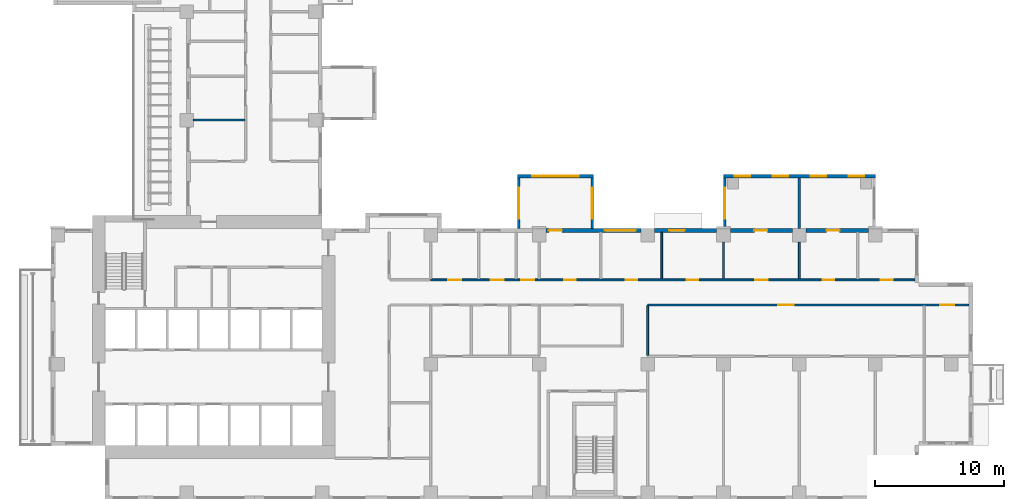
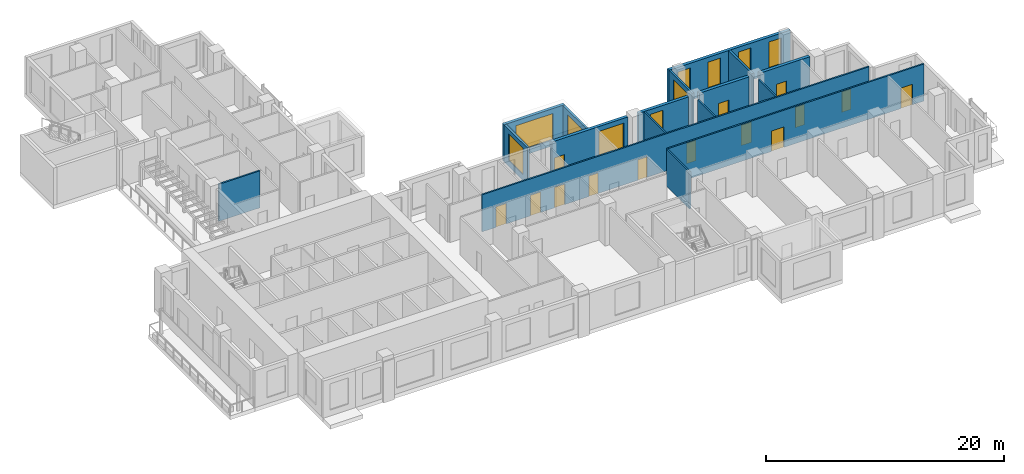
# One storey, part 7 of 16: 17 walls, 14 doors, 10 windows, 24 openings.
"""IFC4 building model written with IfcOpenShell, lengths in metres."""

from ifc_helpers import new_model, si_unit, direction, frame, frame_2d, origin, place, context, subcontext, project, spatial, rectangle, extrude, source, transform, mapped, material, layer, layer_set, type_object, element, fill, save


model = new_model("IFC4")

# Units and contexts
model_context = context("Model", 3, precision=1e-05, world=origin(), true_north=direction((0.0, 1.0)))
body_context = subcontext(model_context, "Body", "Model", "MODEL_VIEW")
ifc_project = project(units=[si_unit("LENGTHUNIT", "METRE"), si_unit("AREAUNIT", "SQUARE_METRE"), si_unit("VOLUMEUNIT", "CUBIC_METRE"), si_unit("PLANEANGLEUNIT", "RADIAN"), si_unit("MASSUNIT", "GRAM", prefix="KILO")], contexts=[model_context])

# Site, building, storey
site_placement = place(None, origin())
site = spatial("IfcSite", under=ifc_project, at=site_placement, CompositionType="ELEMENT")
building_placement = place(site_placement, origin())
building = spatial("IfcBuilding", under=site, at=building_placement, Name="Aurelian Terraces", CompositionType="ELEMENT")
storey_placement = place(building_placement, frame((0.0, 0.0, 124.5)))
storey = spatial("IfcBuildingStorey", under=building, at=storey_placement, Name="L27", CompositionType="ELEMENT", Elevation=124.5)

# Wall, opening, window
ifc_material_1 = material(Name="Concrete fc' 40 MPa", Category="concrete")
ifc_layer_1 = layer(ifc_material_1, 0.2)
ifc_layer_set_1 = layer_set([ifc_layer_1], Name="BOX BEARING WALL 200")
wall_type_1 = type_object("IfcWallType", Name="BOX BEARING WALL 200", PredefinedType="SOLIDWALL", material=ifc_layer_set_1)
shared_shape_1 = source(origin(), body_context, "Body", "SweptSolid", [
    extrude(rectangle(XDim=3.9, YDim=0.2, at=frame_2d((1.95, 0.0))), origin(), (0.0, 0.0, 1.0), 3.79),
])
wall_1_placement = place(storey_placement, frame((52.18, 21.0, 0.0), z_axis=(0.0, 0.0, 1.0), x_axis=(0.0, 1.0, 0.0)))
wall_1 = element("IfcWall", 1, at=wall_1_placement, inside=storey, type_object=wall_type_1, Name="Box return L27 K02.2", PredefinedType="SOLIDWALL", context=body_context, shape_type="MappedRepresentation", body=[
    mapped(shared_shape_1, transform((0.0, 0.0, 0.0), scale=1.0)),
])
shared_shape_2 = source(origin(), body_context, "Body", "SweptSolid", [
    extrude(rectangle(XDim=2.4, YDim=2.7, at=frame_2d((1.2, 1.35))), frame((0.0, 0.11, 0.0), z_axis=(0.0, -1.0, 0.0), x_axis=(1.0, 0.0, 0.0)), (0.0, 0.0, 1.0), 0.22),
])
opening_1_placement = place(wall_1_placement, frame((0.75, 0.0, 0.6)))
opening_1 = element("IfcOpeningElement", 2, at=opening_1_placement, cuts=wall_1, Name="Opening W2427", PredefinedType="OPENING", context=body_context, shape_type="MappedRepresentation", body=[
    mapped(shared_shape_2, transform((0.0, 0.0, 0.0), scale=1.0)),
])
ifc_material_2 = material(Name="Clear glazing", Category="glass")
window_type_1 = type_object("IfcWindowType", Name="W-2400x2700", PartitioningType="SINGLE_PANEL", PredefinedType="WINDOW", material=ifc_material_2)
shared_shape_3 = source(origin(), body_context, "Body", "SweptSolid", [
    extrude(rectangle(XDim=2.4, YDim=2.7, at=frame_2d((1.2, 1.35))), frame((0.0, 0.03, 0.0), z_axis=(0.0, -1.0, 0.0), x_axis=(1.0, 0.0, 0.0)), (0.0, 0.0, 1.0), 0.06),
])
window_1_placement = place(opening_1_placement, origin())
window_1 = element("IfcWindow", 3, at=window_1_placement, inside=storey, type_object=window_type_1, Name="Window L27 K02-S2", OverallHeight=2.7, OverallWidth=2.4, PartitioningType="SINGLE_PANEL", PredefinedType="WINDOW", context=body_context, shape_type="MappedRepresentation", body=[
    mapped(shared_shape_3, transform((0.0, 0.0, 0.0), scale=1.0)),
])
fill(opening_1, window_1)

shared_shape_4 = source(origin(), body_context, "Body", "SweptSolid", [
    extrude(rectangle(XDim=3.9, YDim=0.2, at=frame_2d((1.95, 0.0))), origin(), (0.0, 0.0, 1.0), 3.8),
])
wall_2_placement = place(storey_placement, frame((41.9, 21.0, 0.0), z_axis=(0.0, 0.0, 1.0), x_axis=(0.0, 1.0, 0.0)))
wall_2 = element("IfcWall", 4, at=wall_2_placement, inside=storey, type_object=wall_type_1, Name="Box return L27 J37.1", PredefinedType="SOLIDWALL", context=body_context, shape_type="MappedRepresentation", body=[
    mapped(shared_shape_4, transform((0.0, 0.0, 0.0), scale=1.0)),
])
opening_2_placement = place(wall_2_placement, frame((0.75, 0.0, 0.6)))
opening_2 = element("IfcOpeningElement", 5, at=opening_2_placement, cuts=wall_2, Name="Opening W2427", PredefinedType="OPENING", context=body_context, shape_type="MappedRepresentation", body=[
    mapped(shared_shape_2, transform((0.0, 0.0, 0.0), scale=1.0)),
])
window_2_placement = place(opening_2_placement, origin())
window_2 = element("IfcWindow", 6, at=window_2_placement, inside=storey, type_object=window_type_1, Name="Window L27 J37-S1", OverallHeight=2.7, OverallWidth=2.4, PartitioningType="SINGLE_PANEL", PredefinedType="WINDOW", context=body_context, shape_type="MappedRepresentation", body=[
    mapped(shared_shape_3, transform((0.0, 0.0, 0.0), scale=1.0)),
])
fill(opening_2, window_2)

wall_3_placement = place(storey_placement, frame((36.22, 21.0, 0.0), z_axis=(0.0, 0.0, 1.0), x_axis=(0.0, 1.0, 0.0)))
wall_3 = element("IfcWall", 7, at=wall_3_placement, inside=storey, type_object=wall_type_1, Name="Box return L27 J37.2", PredefinedType="SOLIDWALL", context=body_context, shape_type="MappedRepresentation", body=[
    mapped(shared_shape_4, transform((0.0, 0.0, 0.0), scale=1.0)),
])
opening_3_placement = place(wall_3_placement, frame((0.75, 0.0, 0.6)))
opening_3 = element("IfcOpeningElement", 8, at=opening_3_placement, cuts=wall_3, Name="Opening W2427", PredefinedType="OPENING", context=body_context, shape_type="MappedRepresentation", body=[
    mapped(shared_shape_2, transform((0.0, 0.0, 0.0), scale=1.0)),
])
window_3_placement = place(opening_3_placement, origin())
window_3 = element("IfcWindow", 9, at=window_3_placement, inside=storey, type_object=window_type_1, Name="Window L27 J37-S2", OverallHeight=2.7, OverallWidth=2.4, PartitioningType="SINGLE_PANEL", PredefinedType="WINDOW", context=body_context, shape_type="MappedRepresentation", body=[
    mapped(shared_shape_3, transform((0.0, 0.0, 0.0), scale=1.0)),
])
fill(opening_3, window_3)

ifc_layer_2 = layer(ifc_material_1, 0.3)
ifc_layer_set_2 = layer_set([ifc_layer_2], Name="BOX BEARING WALL 300")
wall_type_2 = type_object("IfcWallType", Name="BOX BEARING WALL 300", PredefinedType="SOLIDWALL", material=ifc_layer_set_2)
shared_shape_5 = source(origin(), body_context, "Body", "SweptSolid", [
    extrude(rectangle(XDim=5.88, YDim=0.3, at=frame_2d((2.94, 0.0))), origin(), (0.0, 0.0, 1.0), 3.8),
])
wall_4_placement = place(storey_placement, frame((42.0, 25.05, 0.0), z_axis=(0.0, 0.0, 1.0), x_axis=(-1.0, 0.0, 0.0)))
wall_4 = element("IfcWall", 10, at=wall_4_placement, inside=storey, type_object=wall_type_2, Name="Box wall L27 J37", PredefinedType="SOLIDWALL", context=body_context, shape_type="MappedRepresentation", body=[
    mapped(shared_shape_5, transform((0.0, 0.0, 0.0), scale=1.0)),
])
shared_shape_6 = source(origin(), body_context, "Body", "SweptSolid", [
    extrude(rectangle(XDim=3.6, YDim=2.7, at=frame_2d((1.8, 1.35))), frame((0.0, 0.16, 0.0), z_axis=(0.0, -1.0, 0.0), x_axis=(1.0, 0.0, 0.0)), (0.0, 0.0, 1.0), 0.32),
])
opening_4_placement = place(wall_4_placement, frame((1.14, 0.0, 0.6)))
opening_4 = element("IfcOpeningElement", 11, at=opening_4_placement, cuts=wall_4, Name="Opening W3627", PredefinedType="OPENING", context=body_context, shape_type="MappedRepresentation", body=[
    mapped(shared_shape_6, transform((0.0, 0.0, 0.0), scale=1.0)),
])
window_type_2 = type_object("IfcWindowType", Name="W-3600x2700", PartitioningType="SINGLE_PANEL", PredefinedType="WINDOW", material=ifc_material_2)
shared_shape_7 = source(origin(), body_context, "Body", "SweptSolid", [
    extrude(rectangle(XDim=3.6, YDim=2.7, at=frame_2d((1.8, 1.35))), frame((0.0, 0.03, 0.0), z_axis=(0.0, -1.0, 0.0), x_axis=(1.0, 0.0, 0.0)), (0.0, 0.0, 1.0), 0.06),
])
window_4_placement = place(opening_4_placement, origin())
window_4 = element("IfcWindow", 12, at=window_4_placement, inside=storey, type_object=window_type_2, Name="Window L27 J37-F1", OverallHeight=2.7, OverallWidth=3.6, PartitioningType="SINGLE_PANEL", PredefinedType="WINDOW", context=body_context, shape_type="MappedRepresentation", body=[
    mapped(shared_shape_7, transform((0.0, 0.0, 0.0), scale=1.0)),
])
fill(opening_4, window_4)

# Wall, openings, windows
shared_shape_8 = source(origin(), body_context, "Body", "SweptSolid", [
    extrude(rectangle(XDim=11.76, YDim=0.3, at=frame_2d((5.88, 0.0))), origin(), (0.0, 0.0, 1.0), 3.79),
])
wall_5_placement = place(storey_placement, frame((63.84, 25.05, 0.0), z_axis=(0.0, 0.0, 1.0), x_axis=(-1.0, 0.0, 0.0)))
wall_5 = element("IfcWall", 13, at=wall_5_placement, inside=storey, type_object=wall_type_2, Name="Box wall L27 K02", PredefinedType="SOLIDWALL", context=body_context, shape_type="MappedRepresentation", body=[
    mapped(shared_shape_8, transform((0.0, 0.0, 0.0), scale=1.0)),
])
shared_shape_9 = source(origin(), body_context, "Body", "SweptSolid", [
    extrude(rectangle(XDim=1.2, YDim=2.7, at=frame_2d((0.6, 1.35))), frame((0.0, 0.16, 0.0), z_axis=(0.0, -1.0, 0.0), x_axis=(1.0, 0.0, 0.0)), (0.0, 0.0, 1.0), 0.32),
])
opening_5_placement = place(wall_5_placement, frame((0.87, 0.0, 0.6)))
opening_5 = element("IfcOpeningElement", 14, at=opening_5_placement, cuts=wall_5, Name="Opening W1227", PredefinedType="OPENING", context=body_context, shape_type="MappedRepresentation", body=[
    mapped(shared_shape_9, transform((0.0, 0.0, 0.0), scale=1.0)),
])
opening_6_placement = place(wall_5_placement, frame((3.81, 0.0, 0.6)))
opening_6 = element("IfcOpeningElement", 15, at=opening_6_placement, cuts=wall_5, Name="Opening W1227", PredefinedType="OPENING", context=body_context, shape_type="MappedRepresentation", body=[
    mapped(shared_shape_9, transform((0.0, 0.0, 0.0), scale=1.0)),
])
opening_7_placement = place(wall_5_placement, frame((6.75, 0.0, 0.6)))
opening_7 = element("IfcOpeningElement", 16, at=opening_7_placement, cuts=wall_5, Name="Opening W1227", PredefinedType="OPENING", context=body_context, shape_type="MappedRepresentation", body=[
    mapped(shared_shape_9, transform((0.0, 0.0, 0.0), scale=1.0)),
])
opening_8_placement = place(wall_5_placement, frame((9.69, 0.0, 0.6)))
opening_8 = element("IfcOpeningElement", 17, at=opening_8_placement, cuts=wall_5, Name="Opening W1227", PredefinedType="OPENING", context=body_context, shape_type="MappedRepresentation", body=[
    mapped(shared_shape_9, transform((0.0, 0.0, 0.0), scale=1.0)),
])
window_type_3 = type_object("IfcWindowType", Name="W-1200x2700", PartitioningType="SINGLE_PANEL", PredefinedType="WINDOW", material=ifc_material_2)
shared_shape_10 = source(origin(), body_context, "Body", "SweptSolid", [
    extrude(rectangle(XDim=1.2, YDim=2.7, at=frame_2d((0.6, 1.35))), frame((0.0, 0.03, 0.0), z_axis=(0.0, -1.0, 0.0), x_axis=(1.0, 0.0, 0.0)), (0.0, 0.0, 1.0), 0.06),
])
window_5_placement = place(opening_5_placement, origin())
window_5 = element("IfcWindow", 18, at=window_5_placement, inside=storey, type_object=window_type_3, Name="Window L27 K02-F1", OverallHeight=2.7, OverallWidth=1.2, PartitioningType="SINGLE_PANEL", PredefinedType="WINDOW", context=body_context, shape_type="MappedRepresentation", body=[
    mapped(shared_shape_10, transform((0.0, 0.0, 0.0), scale=1.0)),
])
fill(opening_5, window_5)
window_6_placement = place(opening_6_placement, origin())
window_6 = element("IfcWindow", 19, at=window_6_placement, inside=storey, type_object=window_type_3, Name="Window L27 K02-F2", OverallHeight=2.7, OverallWidth=1.2, PartitioningType="SINGLE_PANEL", PredefinedType="WINDOW", context=body_context, shape_type="MappedRepresentation", body=[
    mapped(shared_shape_10, transform((0.0, 0.0, 0.0), scale=1.0)),
])
fill(opening_6, window_6)
window_7_placement = place(opening_7_placement, origin())
window_7 = element("IfcWindow", 20, at=window_7_placement, inside=storey, type_object=window_type_3, Name="Window L27 K02-F3", OverallHeight=2.7, OverallWidth=1.2, PartitioningType="SINGLE_PANEL", PredefinedType="WINDOW", context=body_context, shape_type="MappedRepresentation", body=[
    mapped(shared_shape_10, transform((0.0, 0.0, 0.0), scale=1.0)),
])
fill(opening_7, window_7)
window_8_placement = place(opening_8_placement, origin())
window_8 = element("IfcWindow", 21, at=window_8_placement, inside=storey, type_object=window_type_3, Name="Window L27 K02-F4", OverallHeight=2.7, OverallWidth=1.2, PartitioningType="SINGLE_PANEL", PredefinedType="WINDOW", context=body_context, shape_type="MappedRepresentation", body=[
    mapped(shared_shape_10, transform((0.0, 0.0, 0.0), scale=1.0)),
])
fill(opening_8, window_8)

# Wall
shared_shape_11 = source(origin(), body_context, "Body", "SweptSolid", [
    extrude(rectangle(XDim=3.9, YDim=0.2, at=frame_2d((1.95, 0.0))), origin(), (0.0, 0.0, 1.0), 3.79),
])
wall_6_placement = place(storey_placement, frame((57.96, 21.0, 0.0), z_axis=(0.0, 0.0, 1.0), x_axis=(0.0, 1.0, 0.0)))
element("IfcWall", 22, at=wall_6_placement, inside=storey, type_object=wall_type_1, Name="Box partition L27 K02", PredefinedType="SOLIDWALL", context=body_context, shape_type="MappedRepresentation", body=[
    mapped(shared_shape_11, transform((0.0, 0.0, 0.0), scale=1.0)),
])

# Wall, openings, window, door
ifc_material_3 = material(Name="Terracotta rainscreen cladding", Category="masonry")
ifc_layer_3 = layer(ifc_material_3, 0.3)
ifc_layer_set_3 = layer_set([ifc_layer_3], Name="EW-300")
wall_type_3 = type_object("IfcWallType", Name="EW-300", PredefinedType="STANDARD", material=ifc_layer_set_3)
shared_shape_12 = source(origin(), body_context, "Body", "SweptSolid", [
    extrude(rectangle(XDim=7.35, YDim=0.3, at=frame_2d((3.675, 0.0))), origin(), (0.0, 0.0, 1.0), 3.8),
])
wall_7_placement = place(storey_placement, frame((45.675, 20.85, 0.0), z_axis=(0.0, 0.0, 1.0), x_axis=(-1.0, 0.0, 0.0)))
wall_7 = element("IfcWall", 23, at=wall_7_placement, inside=storey, type_object=wall_type_3, Name="External wall L27 F07.21", PredefinedType="STANDARD", context=body_context, shape_type="MappedRepresentation", body=[
    mapped(shared_shape_12, transform((0.0, 0.0, 0.0), scale=1.0)),
])
shared_shape_13 = source(origin(), body_context, "Body", "SweptSolid", [
    extrude(rectangle(XDim=2.4, YDim=2.7, at=frame_2d((1.2, 1.35))), frame((0.0, 0.16, 0.0), z_axis=(0.0, -1.0, 0.0), x_axis=(1.0, 0.0, 0.0)), (0.0, 0.0, 1.0), 0.32),
])
opening_9_placement = place(wall_7_placement, frame((0.375, 0.0, 0.6)))
opening_9 = element("IfcOpeningElement", 24, at=opening_9_placement, cuts=wall_7, Name="Opening W2427", PredefinedType="OPENING", context=body_context, shape_type="MappedRepresentation", body=[
    mapped(shared_shape_13, transform((0.0, 0.0, 0.0), scale=1.0)),
])
shared_shape_14 = source(origin(), body_context, "Body", "SweptSolid", [
    extrude(rectangle(XDim=1.0, YDim=2.1, at=frame_2d((0.5, 1.05))), frame((0.0, 0.16, 0.0), z_axis=(0.0, -1.0, 0.0), x_axis=(1.0, 0.0, 0.0)), (0.0, 0.0, 1.0), 0.32),
])
opening_10_placement = place(wall_7_placement, frame((6.115, 0.0, 0.0)))
opening_10 = element("IfcOpeningElement", 25, at=opening_10_placement, cuts=wall_7, Name="Opening 827002", PredefinedType="OPENING", context=body_context, shape_type="MappedRepresentation", body=[
    mapped(shared_shape_14, transform((0.0, 0.0, 0.0), scale=1.0)),
])
window_9_placement = place(opening_9_placement, origin())
window_9 = element("IfcWindow", 26, at=window_9_placement, inside=storey, type_object=window_type_1, Name="Window L27 L27-F07-21-0", OverallHeight=2.7, OverallWidth=2.4, PartitioningType="SINGLE_PANEL", PredefinedType="WINDOW", context=body_context, shape_type="MappedRepresentation", body=[
    mapped(shared_shape_3, transform((0.0, 0.0, 0.0), scale=1.0)),
])
fill(opening_9, window_9)
ifc_material_4 = material(Name="Timber door leaf", Category="wood")
door_type_1 = type_object("IfcDoorType", Name="Room door 1000x2100 left", OperationType="SINGLE_SWING_LEFT", PredefinedType="DOOR", material=ifc_material_4)
shared_shape_15 = source(origin(), body_context, "Body", "SweptSolid", [
    extrude(rectangle(XDim=1.0, YDim=2.1, at=frame_2d((0.5, 1.05))), frame((0.0, 0.025, 0.0), z_axis=(0.0, -1.0, 0.0), x_axis=(1.0, 0.0, 0.0)), (0.0, 0.0, 1.0), 0.05),
])
door_1_placement = place(opening_10_placement, origin())
door_1 = element("IfcDoor", 27, at=door_1_placement, inside=storey, type_object=door_type_1, Name="Door 827002", OperationType="SINGLE_SWING_LEFT", OverallHeight=2.1, OverallWidth=1.0, PredefinedType="DOOR", context=body_context, shape_type="MappedRepresentation", body=[
    mapped(shared_shape_15, transform((0.0, 0.0, 0.0), scale=1.0)),
])
fill(opening_10, door_1)

# Wall, opening, door
shared_shape_16 = source(origin(), body_context, "Body", "SweptSolid", [
    extrude(rectangle(XDim=4.83, YDim=0.3, at=frame_2d((2.415, 0.0))), origin(), (0.0, 0.0, 1.0), 3.8),
])
wall_8_placement = place(storey_placement, frame((63.315, 20.85, 0.0), z_axis=(0.0, 0.0, 1.0), x_axis=(-1.0, 0.0, 0.0)))
wall_8 = element("IfcWall", 28, at=wall_8_placement, inside=storey, type_object=wall_type_3, Name="External wall L27 F07.20", PredefinedType="STANDARD", context=body_context, shape_type="MappedRepresentation", body=[
    mapped(shared_shape_16, transform((0.0, 0.0, 0.0), scale=1.0)),
])
opening_11_placement = place(wall_8_placement, frame((2.2417, 0.0, 0.0)))
opening_11 = element("IfcOpeningElement", 29, at=opening_11_placement, cuts=wall_8, Name="Opening 827004", PredefinedType="OPENING", context=body_context, shape_type="MappedRepresentation", body=[
    mapped(shared_shape_14, transform((0.0, 0.0, 0.0), scale=1.0)),
])
door_2_placement = place(opening_11_placement, origin())
door_2 = element("IfcDoor", 30, at=door_2_placement, inside=storey, type_object=door_type_1, Name="Door 827004", OperationType="SINGLE_SWING_LEFT", OverallHeight=2.1, OverallWidth=1.0, PredefinedType="DOOR", context=body_context, shape_type="MappedRepresentation", body=[
    mapped(shared_shape_15, transform((0.0, 0.0, 0.0), scale=1.0)),
])
fill(opening_11, door_2)

wall_9_placement = place(storey_placement, frame((57.435, 20.85, 0.0), z_axis=(0.0, 0.0, 1.0), x_axis=(-1.0, 0.0, 0.0)))
wall_9 = element("IfcWall", 31, at=wall_9_placement, inside=storey, type_object=wall_type_3, Name="External wall L27 F07.20", PredefinedType="STANDARD", context=body_context, shape_type="MappedRepresentation", body=[
    mapped(shared_shape_16, transform((0.0, 0.0, 0.0), scale=1.0)),
])
opening_12_placement = place(wall_9_placement, frame((1.9617, 0.0, 0.0)))
opening_12 = element("IfcOpeningElement", 32, at=opening_12_placement, cuts=wall_9, Name="Opening 827005", PredefinedType="OPENING", context=body_context, shape_type="MappedRepresentation", body=[
    mapped(shared_shape_14, transform((0.0, 0.0, 0.0), scale=1.0)),
])
door_3_placement = place(opening_12_placement, origin())
door_3 = element("IfcDoor", 33, at=door_3_placement, inside=storey, type_object=door_type_1, Name="Door 827005", OperationType="SINGLE_SWING_LEFT", OverallHeight=2.1, OverallWidth=1.0, PredefinedType="DOOR", context=body_context, shape_type="MappedRepresentation", body=[
    mapped(shared_shape_15, transform((0.0, 0.0, 0.0), scale=1.0)),
])
fill(opening_12, door_3)

# Wall, opening, window
wall_10_placement = place(storey_placement, frame((51.555, 20.85, 0.0), z_axis=(0.0, 0.0, 1.0), x_axis=(-1.0, 0.0, 0.0)))
wall_10 = element("IfcWall", 34, at=wall_10_placement, inside=storey, type_object=wall_type_3, Name="External wall L27 F07.20", PredefinedType="STANDARD", context=body_context, shape_type="MappedRepresentation", body=[
    mapped(shared_shape_16, transform((0.0, 0.0, 0.0), scale=1.0)),
])
opening_13_placement = place(wall_10_placement, frame((2.47, 0.0, 0.6)))
opening_13 = element("IfcOpeningElement", 35, at=opening_13_placement, cuts=wall_10, Name="Opening W1227", PredefinedType="OPENING", context=body_context, shape_type="MappedRepresentation", body=[
    mapped(shared_shape_9, transform((0.0, 0.0, 0.0), scale=1.0)),
])
window_10_placement = place(opening_13_placement, origin())
window_10 = element("IfcWindow", 36, at=window_10_placement, inside=storey, type_object=window_type_3, Name="Window L27 L27-F07-20-4", OverallHeight=2.7, OverallWidth=1.2, PartitioningType="SINGLE_PANEL", PredefinedType="WINDOW", context=body_context, shape_type="MappedRepresentation", body=[
    mapped(shared_shape_10, transform((0.0, 0.0, 0.0), scale=1.0)),
])
fill(opening_13, window_10)

# Wall
ifc_material_5 = material(Name="Gypsum board on steel studs", Category="steel")
ifc_layer_4 = layer(ifc_material_5, 0.15)
ifc_layer_set_4 = layer_set([ifc_layer_4], Name="Partition 150")
wall_type_4 = type_object("IfcWallType", Name="Partition 150", PredefinedType="PARTITIONING", material=ifc_layer_set_4)
shared_shape_17 = source(origin(), body_context, "Body", "SweptSolid", [
    extrude(rectangle(XDim=3.6, YDim=0.15, at=frame_2d((1.8, 0.0))), origin(), (0.0, 0.0, 1.0), 3.8),
])
wall_11_placement = place(storey_placement, frame((47.295, 20.7, 0.0), z_axis=(0.0, 0.0, 1.0), x_axis=(0.0, -1.0, 0.0)))
element("IfcWall", 37, at=wall_11_placement, inside=storey, type_object=wall_type_4, Name="Partition", PredefinedType="PARTITIONING", context=body_context, shape_type="MappedRepresentation", body=[
    mapped(shared_shape_17, transform((0.0, 0.0, 0.0), scale=1.0)),
])

# Wall, openings, doors
ifc_layer_5 = layer(ifc_material_5, 0.15)
ifc_layer_set_5 = layer_set([ifc_layer_5], Name="Fire partition 150")
wall_type_5 = type_object("IfcWallType", Name="Fire partition 150", PredefinedType="PARTITIONING", material=ifc_layer_set_5)
shared_shape_18 = source(origin(), body_context, "Body", "SweptSolid", [
    extrude(rectangle(XDim=24.9, YDim=0.15, at=frame_2d((12.45, 0.0))), origin(), (0.0, 0.0, 1.0), 3.8),
])
wall_12_placement = place(storey_placement, frame((71.1, 15.075, 0.0), z_axis=(0.0, 0.0, 1.0), x_axis=(-1.0, 0.0, 0.0)))
wall_12 = element("IfcWall", 38, at=wall_12_placement, inside=storey, type_object=wall_type_5, Name="Corridor wall", PredefinedType="PARTITIONING", context=body_context, shape_type="MappedRepresentation", body=[
    mapped(shared_shape_18, transform((0.0, 0.0, 0.0), scale=1.0)),
])
shared_shape_19 = source(origin(), body_context, "Body", "SweptSolid", [
    extrude(rectangle(XDim=1.2, YDim=2.1, at=frame_2d((0.6, 1.05))), frame((0.0, 0.085, 0.0), z_axis=(0.0, -1.0, 0.0), x_axis=(1.0, 0.0, 0.0)), (0.0, 0.0, 1.0), 0.17),
])
opening_14_placement = place(wall_12_placement, frame((13.59, 0.0, 0.0)))
opening_14 = element("IfcOpeningElement", 39, at=opening_14_placement, cuts=wall_12, Name="Opening 727011", PredefinedType="OPENING", context=body_context, shape_type="MappedRepresentation", body=[
    mapped(shared_shape_19, transform((0.0, 0.0, 0.0), scale=1.0)),
])
shared_shape_20 = source(origin(), body_context, "Body", "SweptSolid", [
    extrude(rectangle(XDim=1.1, YDim=2.1, at=frame_2d((0.55, 1.05))), frame((0.0, 0.085, 0.0), z_axis=(0.0, -1.0, 0.0), x_axis=(1.0, 0.0, 0.0)), (0.0, 0.0, 1.0), 0.17),
])
opening_15_placement = place(wall_12_placement, frame((1.1525, 0.0, 0.0)))
opening_15 = element("IfcOpeningElement", 40, at=opening_15_placement, cuts=wall_12, Name="Opening 727016", PredefinedType="OPENING", context=body_context, shape_type="MappedRepresentation", body=[
    mapped(shared_shape_20, transform((0.0, 0.0, 0.0), scale=1.0)),
])
door_type_2 = type_object("IfcDoorType", Name="Room door 1100x2100 left", OperationType="SINGLE_SWING_LEFT", PredefinedType="DOOR", material=ifc_material_4)
shared_shape_21 = source(origin(), body_context, "Body", "SweptSolid", [
    extrude(rectangle(XDim=1.1, YDim=2.1, at=frame_2d((0.55, 1.05))), frame((0.0, 0.025, 0.0), z_axis=(0.0, -1.0, 0.0), x_axis=(1.0, 0.0, 0.0)), (0.0, 0.0, 1.0), 0.05),
])
door_4_placement = place(opening_15_placement, origin())
door_4 = element("IfcDoor", 41, at=door_4_placement, inside=storey, type_object=door_type_2, Name="Door 727016", OperationType="SINGLE_SWING_LEFT", OverallHeight=2.1, OverallWidth=1.1, PredefinedType="DOOR", context=body_context, shape_type="MappedRepresentation", body=[
    mapped(shared_shape_21, transform((0.0, 0.0, 0.0), scale=1.0)),
])
fill(opening_15, door_4)
door_type_3 = type_object("IfcDoorType", Name="Room door 1200x2100 left", OperationType="SINGLE_SWING_LEFT", PredefinedType="DOOR", material=ifc_material_4)
shared_shape_22 = source(origin(), body_context, "Body", "SweptSolid", [
    extrude(rectangle(XDim=1.2, YDim=2.1, at=frame_2d((0.6, 1.05))), frame((0.0, 0.025, 0.0), z_axis=(0.0, -1.0, 0.0), x_axis=(1.0, 0.0, 0.0)), (0.0, 0.0, 1.0), 0.05),
])
door_5_placement = place(opening_14_placement, origin())
door_5 = element("IfcDoor", 42, at=door_5_placement, inside=storey, type_object=door_type_3, Name="Door 727011", OperationType="SINGLE_SWING_LEFT", OverallHeight=2.1, OverallWidth=1.2, PredefinedType="DOOR", context=body_context, shape_type="MappedRepresentation", body=[
    mapped(shared_shape_22, transform((0.0, 0.0, 0.0), scale=1.0)),
])
fill(opening_14, door_5)

shared_shape_23 = source(origin(), body_context, "Body", "SweptSolid", [
    extrude(rectangle(XDim=37.5, YDim=0.15, at=frame_2d((18.75, 0.0))), origin(), (0.0, 0.0, 1.0), 3.8),
])
wall_13_placement = place(storey_placement, frame((29.4, 17.025, 0.0), z_axis=(0.0, 0.0, 1.0), x_axis=(1.0, 0.0, 0.0)))
wall_13 = element("IfcWall", 43, at=wall_13_placement, inside=storey, type_object=wall_type_5, Name="Corridor wall", PredefinedType="PARTITIONING", context=body_context, shape_type="MappedRepresentation", body=[
    mapped(shared_shape_23, transform((0.0, 0.0, 0.0), scale=1.0)),
])
shared_shape_24 = source(origin(), body_context, "Body", "SweptSolid", [
    extrude(rectangle(XDim=1.0, YDim=2.1, at=frame_2d((0.5, 1.05))), frame((0.0, 0.085, 0.0), z_axis=(0.0, -1.0, 0.0), x_axis=(1.0, 0.0, 0.0)), (0.0, 0.0, 1.0), 0.17),
])
opening_16_placement = place(wall_13_placement, frame((1.3567, 0.0, 0.0)))
opening_16 = element("IfcOpeningElement", 44, at=opening_16_placement, cuts=wall_13, Name="Opening 727018", PredefinedType="OPENING", context=body_context, shape_type="MappedRepresentation", body=[
    mapped(shared_shape_24, transform((0.0, 0.0, 0.0), scale=1.0)),
])
opening_17_placement = place(wall_13_placement, frame((4.6686, 0.0, 0.0)))
opening_17 = element("IfcOpeningElement", 45, at=opening_17_placement, cuts=wall_13, Name="Opening 727019", PredefinedType="OPENING", context=body_context, shape_type="MappedRepresentation", body=[
    mapped(shared_shape_24, transform((0.0, 0.0, 0.0), scale=1.0)),
])
opening_18_placement = place(wall_13_placement, frame((7.012, 0.0, 0.0)))
opening_18 = element("IfcOpeningElement", 46, at=opening_18_placement, cuts=wall_13, Name="Opening 727020", PredefinedType="OPENING", context=body_context, shape_type="MappedRepresentation", body=[
    mapped(shared_shape_24, transform((0.0, 0.0, 0.0), scale=1.0)),
])
shared_shape_25 = source(origin(), body_context, "Body", "SweptSolid", [
    extrude(rectangle(XDim=0.9, YDim=2.1, at=frame_2d((0.45, 1.05))), frame((0.0, 0.085, 0.0), z_axis=(0.0, -1.0, 0.0), x_axis=(1.0, 0.0, 0.0)), (0.0, 0.0, 1.0), 0.17),
])
opening_19_placement = place(wall_13_placement, frame((10.3425, 0.0, 0.0)))
opening_19 = element("IfcOpeningElement", 47, at=opening_19_placement, cuts=wall_13, Name="Opening 727021", PredefinedType="OPENING", context=body_context, shape_type="MappedRepresentation", body=[
    mapped(shared_shape_25, transform((0.0, 0.0, 0.0), scale=1.0)),
])
opening_20_placement = place(wall_13_placement, frame((15.09, 0.0, 0.0)))
opening_20 = element("IfcOpeningElement", 48, at=opening_20_placement, cuts=wall_13, Name="Opening 727022", PredefinedType="OPENING", context=body_context, shape_type="MappedRepresentation", body=[
    mapped(shared_shape_25, transform((0.0, 0.0, 0.0), scale=1.0)),
])
opening_21_placement = place(wall_13_placement, frame((19.8375, 0.0, 0.0)))
opening_21 = element("IfcOpeningElement", 49, at=opening_21_placement, cuts=wall_13, Name="Opening 727023", PredefinedType="OPENING", context=body_context, shape_type="MappedRepresentation", body=[
    mapped(shared_shape_25, transform((0.0, 0.0, 0.0), scale=1.0)),
])
opening_22_placement = place(wall_13_placement, frame((25.12, 0.0, 0.0)))
opening_22 = element("IfcOpeningElement", 50, at=opening_22_placement, cuts=wall_13, Name="Opening 727024", PredefinedType="OPENING", context=body_context, shape_type="MappedRepresentation", body=[
    mapped(shared_shape_24, transform((0.0, 0.0, 0.0), scale=1.0)),
])
opening_23_placement = place(wall_13_placement, frame((30.3638, 0.0, 0.0)))
opening_23 = element("IfcOpeningElement", 51, at=opening_23_placement, cuts=wall_13, Name="Opening 727025", PredefinedType="OPENING", context=body_context, shape_type="MappedRepresentation", body=[
    mapped(shared_shape_25, transform((0.0, 0.0, 0.0), scale=1.0)),
])
opening_24_placement = place(wall_13_placement, frame((34.8713, 0.0, 0.0)))
opening_24 = element("IfcOpeningElement", 52, at=opening_24_placement, cuts=wall_13, Name="Opening 727026", PredefinedType="OPENING", context=body_context, shape_type="MappedRepresentation", body=[
    mapped(shared_shape_25, transform((0.0, 0.0, 0.0), scale=1.0)),
])
door_6_placement = place(opening_16_placement, origin())
door_6 = element("IfcDoor", 53, at=door_6_placement, inside=storey, type_object=door_type_1, Name="Door 727018", OperationType="SINGLE_SWING_LEFT", OverallHeight=2.1, OverallWidth=1.0, PredefinedType="DOOR", context=body_context, shape_type="MappedRepresentation", body=[
    mapped(shared_shape_15, transform((0.0, 0.0, 0.0), scale=1.0)),
])
fill(opening_16, door_6)
door_type_4 = type_object("IfcDoorType", Name="Room door 1000x2100 right", OperationType="SINGLE_SWING_RIGHT", PredefinedType="DOOR", material=ifc_material_4)
door_7_placement = place(opening_17_placement, origin())
door_7 = element("IfcDoor", 54, at=door_7_placement, inside=storey, type_object=door_type_4, Name="Door 727019", OperationType="SINGLE_SWING_RIGHT", OverallHeight=2.1, OverallWidth=1.0, PredefinedType="DOOR", context=body_context, shape_type="MappedRepresentation", body=[
    mapped(shared_shape_15, transform((0.0, 0.0, 0.0), scale=1.0)),
])
fill(opening_17, door_7)
door_8_placement = place(opening_18_placement, origin())
door_8 = element("IfcDoor", 55, at=door_8_placement, inside=storey, type_object=door_type_1, Name="Door 727020", OperationType="SINGLE_SWING_LEFT", OverallHeight=2.1, OverallWidth=1.0, PredefinedType="DOOR", context=body_context, shape_type="MappedRepresentation", body=[
    mapped(shared_shape_15, transform((0.0, 0.0, 0.0), scale=1.0)),
])
fill(opening_18, door_8)
door_9_placement = place(opening_22_placement, origin())
door_9 = element("IfcDoor", 56, at=door_9_placement, inside=storey, type_object=door_type_1, Name="Door 727024", OperationType="SINGLE_SWING_LEFT", OverallHeight=2.1, OverallWidth=1.0, PredefinedType="DOOR", context=body_context, shape_type="MappedRepresentation", body=[
    mapped(shared_shape_15, transform((0.0, 0.0, 0.0), scale=1.0)),
])
fill(opening_22, door_9)
door_type_5 = type_object("IfcDoorType", Name="Room door 900x2100 left", OperationType="SINGLE_SWING_LEFT", PredefinedType="DOOR", material=ifc_material_4)
shared_shape_26 = source(origin(), body_context, "Body", "SweptSolid", [
    extrude(rectangle(XDim=0.9, YDim=2.1, at=frame_2d((0.45, 1.05))), frame((0.0, 0.025, 0.0), z_axis=(0.0, -1.0, 0.0), x_axis=(1.0, 0.0, 0.0)), (0.0, 0.0, 1.0), 0.05),
])
door_10_placement = place(opening_19_placement, origin())
door_10 = element("IfcDoor", 57, at=door_10_placement, inside=storey, type_object=door_type_5, Name="Door 727021", OperationType="SINGLE_SWING_LEFT", OverallHeight=2.1, OverallWidth=0.9, PredefinedType="DOOR", context=body_context, shape_type="MappedRepresentation", body=[
    mapped(shared_shape_26, transform((0.0, 0.0, 0.0), scale=1.0)),
])
fill(opening_19, door_10)
door_type_6 = type_object("IfcDoorType", Name="Room door 900x2100 right", OperationType="SINGLE_SWING_RIGHT", PredefinedType="DOOR", material=ifc_material_4)
door_11_placement = place(opening_20_placement, origin())
door_11 = element("IfcDoor", 58, at=door_11_placement, inside=storey, type_object=door_type_6, Name="Door 727022", OperationType="SINGLE_SWING_RIGHT", OverallHeight=2.1, OverallWidth=0.9, PredefinedType="DOOR", context=body_context, shape_type="MappedRepresentation", body=[
    mapped(shared_shape_26, transform((0.0, 0.0, 0.0), scale=1.0)),
])
fill(opening_20, door_11)
door_12_placement = place(opening_21_placement, origin())
door_12 = element("IfcDoor", 59, at=door_12_placement, inside=storey, type_object=door_type_5, Name="Door 727023", OperationType="SINGLE_SWING_LEFT", OverallHeight=2.1, OverallWidth=0.9, PredefinedType="DOOR", context=body_context, shape_type="MappedRepresentation", body=[
    mapped(shared_shape_26, transform((0.0, 0.0, 0.0), scale=1.0)),
])
fill(opening_21, door_12)
door_13_placement = place(opening_23_placement, origin())
door_13 = element("IfcDoor", 60, at=door_13_placement, inside=storey, type_object=door_type_5, Name="Door 727025", OperationType="SINGLE_SWING_LEFT", OverallHeight=2.1, OverallWidth=0.9, PredefinedType="DOOR", context=body_context, shape_type="MappedRepresentation", body=[
    mapped(shared_shape_26, transform((0.0, 0.0, 0.0), scale=1.0)),
])
fill(opening_23, door_13)
door_14_placement = place(opening_24_placement, origin())
door_14 = element("IfcDoor", 61, at=door_14_placement, inside=storey, type_object=door_type_6, Name="Door 727026", OperationType="SINGLE_SWING_RIGHT", OverallHeight=2.1, OverallWidth=0.9, PredefinedType="DOOR", context=body_context, shape_type="MappedRepresentation", body=[
    mapped(shared_shape_26, transform((0.0, 0.0, 0.0), scale=1.0)),
])
fill(opening_24, door_14)

# Walls
shared_shape_27 = source(origin(), body_context, "Body", "SweptSolid", [
    extrude(rectangle(XDim=3.976, YDim=0.15, at=frame_2d((1.988, 0.0))), origin(), (0.0, 0.0, 1.0), 3.8),
])
wall_14_placement = place(storey_placement, frame((15.0, 29.4, 0.0), z_axis=(0.0, 0.0, 1.0), x_axis=(-1.0, 0.0, 0.0)))
element("IfcWall", 62, at=wall_14_placement, inside=storey, type_object=wall_type_4, Name="Partition", PredefinedType="PARTITIONING", context=body_context, shape_type="MappedRepresentation", body=[
    mapped(shared_shape_27, transform((0.0, 0.0, 0.0), scale=1.0)),
])
shared_shape_28 = source(origin(), body_context, "Body", "SweptSolid", [
    extrude(rectangle(XDim=3.825, YDim=0.15, at=frame_2d((1.9125, 0.0))), origin(), (0.0, 0.0, 1.0), 3.8),
])
wall_15_placement = place(storey_placement, frame((46.2, 11.175, 0.0), z_axis=(0.0, 0.0, 1.0), x_axis=(0.0, 1.0, 0.0)))
element("IfcWall", 63, at=wall_15_placement, inside=storey, type_object=wall_type_4, Name="Partition", PredefinedType="PARTITIONING", context=body_context, shape_type="MappedRepresentation", body=[
    mapped(shared_shape_28, transform((0.0, 0.0, 0.0), scale=1.0)),
])
shared_shape_29 = source(origin(), body_context, "Body", "SweptSolid", [
    extrude(rectangle(XDim=2.851, YDim=0.15, at=frame_2d((1.4255, 0.0))), origin(), (0.0, 0.0, 1.0), 3.8),
])
for number, where, z_axis, x_axis, name in (
    (64, (52.08, 17.1, 0.0), (0.0, 0.0, 1.0), (0.0, 1.0, 0.0), "Partition"),
    (65, (57.96, 17.1, 0.0), (0.0, 0.0, 1.0), (0.0, 1.0, 0.0), "Partition"),
):
    element("IfcWall", number, at=place(storey_placement, frame(where, z_axis=z_axis, x_axis=x_axis)), inside=storey, type_object=wall_type_4, Name=name, PredefinedType="PARTITIONING", context=body_context, shape_type="MappedRepresentation", body=[
        mapped(shared_shape_29, transform((0.0, 0.0, 0.0), scale=1.0)),
    ])

save(model, "model.ifc")
